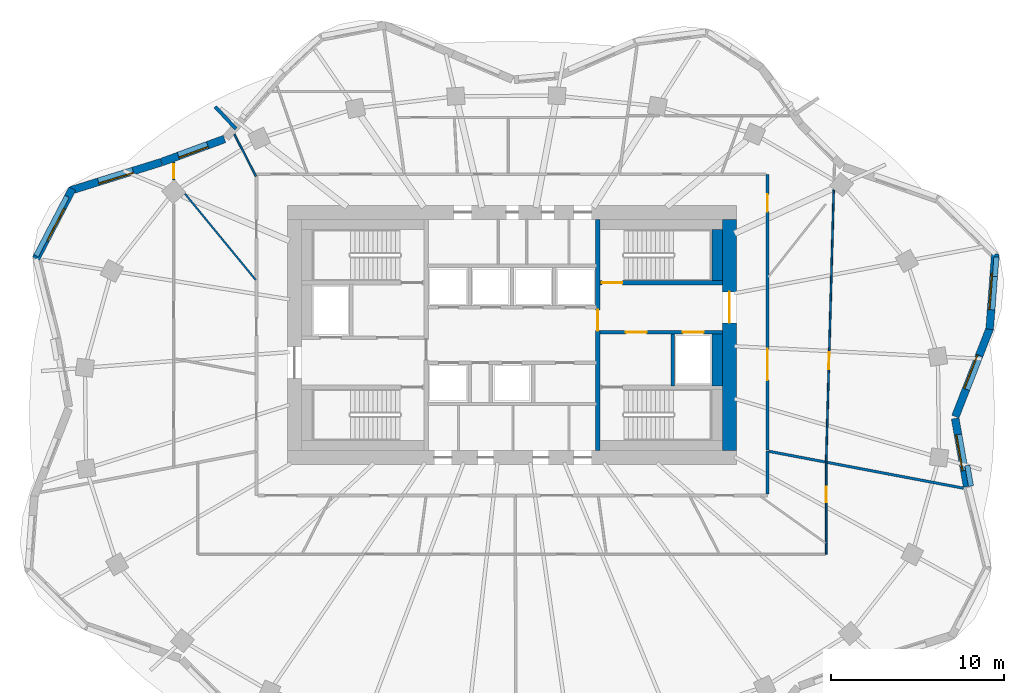
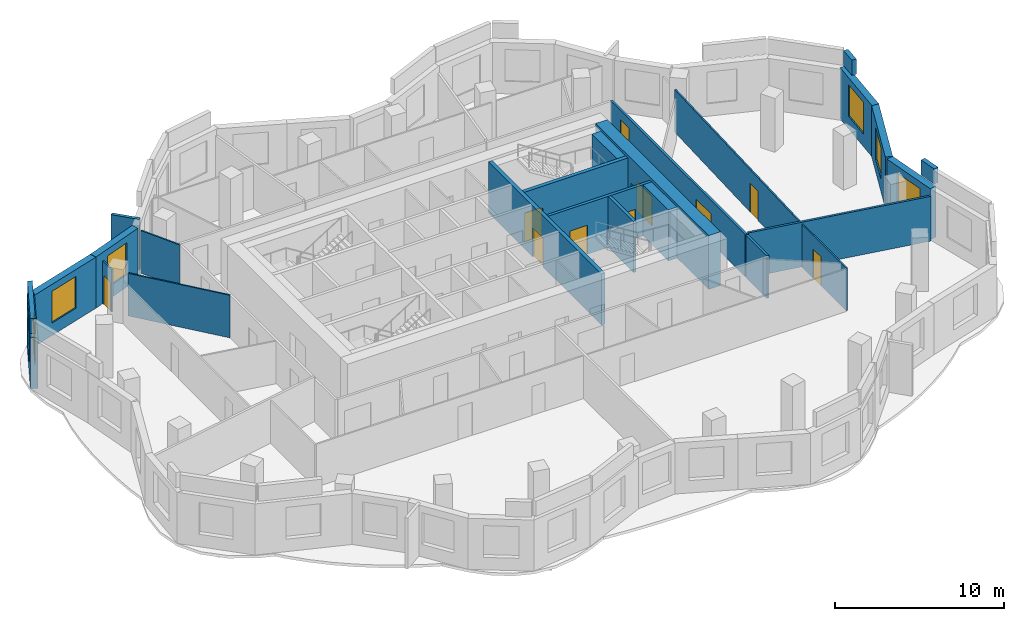
# One storey, part 6 of 9: 25 walls, 10 doors, 6 windows, 16 openings.
"""IFC4 building model written with IfcOpenShell, lengths in metres."""

from ifc_helpers import new_model, si_unit, direction, frame, frame_2d, origin, place, context, subcontext, project, spatial, rectangle, extrude, material, layer, layer_set, type_object, element, fill, save


model = new_model("IFC4")

# Units and contexts
model_context = context("Model", 3, precision=1e-05, world=origin(), true_north=direction((0.0, 1.0)))
body_context = subcontext(model_context, "Body", "Model", "MODEL_VIEW")
ifc_project = project(units=[si_unit("LENGTHUNIT", "METRE"), si_unit("AREAUNIT", "SQUARE_METRE"), si_unit("VOLUMEUNIT", "CUBIC_METRE"), si_unit("PLANEANGLEUNIT", "RADIAN"), si_unit("MASSUNIT", "GRAM", prefix="KILO")], contexts=[model_context])

# Site, building, storey
site_placement = place(None, origin())
site = spatial("IfcSite", under=ifc_project, at=site_placement, CompositionType="ELEMENT")
building_placement = place(site_placement, origin())
building = spatial("IfcBuilding", under=site, at=building_placement, Name="Rubra Terraces Tower", CompositionType="ELEMENT")
storey_placement = place(building_placement, frame((0.0, 0.0, 221.39990234375)))
storey = spatial("IfcBuildingStorey", under=building, at=storey_placement, Name="L54", CompositionType="ELEMENT", Elevation=221.39990234375)

# Wall, opening, window
ifc_material_1 = material(Name="Brick masonry red-brown", Category="masonry")
ifc_layer_1 = layer(ifc_material_1, 0.449951171875)
ifc_layer_set_1 = layer_set([ifc_layer_1], Name="Brick masonry red-brown")
wall_type_1 = type_object("IfcWallType", Name="Brick facade wall 450", PredefinedType="SOLIDWALL", material=ifc_layer_set_1)
wall_1_placement = place(storey_placement, frame((25.68701171875, -0.226318359375, 0.0), z_axis=(0.0, 0.0, 1.0), x_axis=(0.363500194409, 0.931594122279, 0.0)))
wall_1 = element("IfcWall", 1, at=wall_1_placement, inside=storey, type_object=wall_type_1, Name="Facade wall L54 bay 1", PredefinedType="SOLIDWALL", context=body_context, shape_type="SweptSolid", body=[
    extrude(rectangle(XDim=5.498779296875, YDim=0.449951171875, at=frame_2d((2.74951171875, 0.0))), origin(), (0.0, 0.0, 1.0), 3.7001953125),
])
opening_1_placement = place(wall_1_placement, frame((1.69921875, 0.0, 0.89990234375)))
opening_1 = element("IfcOpeningElement", 2, at=opening_1_placement, cuts=wall_1, Name="Opening W1B", PredefinedType="OPENING", context=body_context, shape_type="SweptSolid", body=[
    extrude(rectangle(XDim=2.10009765625, YDim=2.300048828125, at=frame_2d((1.050048828125, 1.14990234375))), frame((0.0, 0.23486328125, 0.0), z_axis=(0.0, -1.0, 0.0), x_axis=(1.0, 0.0, 0.0)), (0.0, 0.0, 1.0), 0.469970703125),
])
ifc_material_2 = material(Name="Clear glass in aluminium frame", Category="aluminium")
window_type_1 = type_object("IfcWindowType", Name="Fixed deep-set window tall storey 2100 x 2300", PartitioningType="SINGLE_PANEL", PredefinedType="WINDOW", material=ifc_material_2)
window_1_placement = place(opening_1_placement, origin())
window_1 = element("IfcWindow", 3, at=window_1_placement, inside=storey, type_object=window_type_1, Name="Window L54 bay 1", OverallHeight=2.300048828125, OverallWidth=2.10009765625, PartitioningType="SINGLE_PANEL", PredefinedType="WINDOW", context=body_context, shape_type="SweptSolid", body=[
    extrude(rectangle(XDim=2.10009765625, YDim=2.300048828125, at=frame_2d((1.050048828125, 1.14990234375))), frame((0.0, 0.135009765625, 0.0), z_axis=(0.0, -1.0, 0.0), x_axis=(1.0, 0.0, 0.0)), (0.0, 0.0, 1.0), 0.06005859375),
])
fill(opening_1, window_1)

wall_2_placement = place(storey_placement, frame((27.671142578125, 4.831298828125, 0.0), z_axis=(0.0, 0.0, 1.0), x_axis=(0.075658122047, 0.997133816781, 0.0)))
wall_2 = element("IfcWall", 4, at=wall_2_placement, inside=storey, type_object=wall_type_1, Name="Facade wall L54 bay 2", PredefinedType="SOLIDWALL", context=body_context, shape_type="SweptSolid", body=[
    extrude(rectangle(XDim=4.369140625, YDim=0.449951171875, at=frame_2d((2.1845703125, 0.0))), origin(), (0.0, 0.0, 1.0), 3.7001953125),
])
opening_2_placement = place(wall_2_placement, frame((1.134521484375, 0.0, 0.89990234375)))
opening_2 = element("IfcOpeningElement", 5, at=opening_2_placement, cuts=wall_2, Name="Opening W1B", PredefinedType="OPENING", context=body_context, shape_type="SweptSolid", body=[
    extrude(rectangle(XDim=2.10009765625, YDim=2.300048828125, at=frame_2d((1.050048828125, 1.14990234375))), frame((0.0, 0.23486328125, 0.0), z_axis=(0.0, -1.0, 0.0), x_axis=(1.0, 0.0, 0.0)), (0.0, 0.0, 1.0), 0.469970703125),
])
window_2_placement = place(opening_2_placement, origin())
window_2 = element("IfcWindow", 6, at=window_2_placement, inside=storey, type_object=window_type_1, Name="Window L54 bay 2", OverallHeight=2.300048828125, OverallWidth=2.10009765625, PartitioningType="SINGLE_PANEL", PredefinedType="WINDOW", context=body_context, shape_type="SweptSolid", body=[
    extrude(rectangle(XDim=2.10009765625, YDim=2.300048828125, at=frame_2d((1.050048828125, 1.14990234375))), frame((0.0, 0.135009765625, 0.0), z_axis=(0.0, -1.0, 0.0), x_axis=(1.0, 0.0, 0.0)), (0.0, 0.0, 1.0), 0.06005859375),
])
fill(opening_2, window_2)

wall_3_placement = place(storey_placement, frame((-16.654052734375, 15.85205078125, 0.0), z_axis=(0.0, 0.0, 1.0), x_axis=(-0.938636568132, -0.344907803572, 0.0)))
wall_3 = element("IfcWall", 7, at=wall_3_placement, inside=storey, type_object=wall_type_1, Name="Facade wall L54 bay 16", PredefinedType="SOLIDWALL", context=body_context, shape_type="SweptSolid", body=[
    extrude(rectangle(XDim=3.887451171875, YDim=0.449951171875, at=frame_2d((1.94384765625, 0.0))), origin(), (0.0, 0.0, 1.0), 3.7001953125),
])
opening_3_placement = place(wall_3_placement, frame((1.043701171875, 0.0, 0.89990234375)))
opening_3 = element("IfcOpeningElement", 8, at=opening_3_placement, cuts=wall_3, Name="Opening W6B", PredefinedType="OPENING", context=body_context, shape_type="SweptSolid", body=[
    extrude(rectangle(XDim=1.800048828125, YDim=2.300048828125, at=frame_2d((0.89990234375, 1.14990234375))), frame((0.0, 0.23486328125, 0.0), z_axis=(0.0, -1.0, 0.0), x_axis=(1.0, 0.0, 0.0)), (0.0, 0.0, 1.0), 0.469970703125),
])
window_type_2 = type_object("IfcWindowType", Name="Fixed deep-set window at wind fin tall storey 1800 x 2300", PartitioningType="SINGLE_PANEL", PredefinedType="WINDOW", material=ifc_material_2)
window_3_placement = place(opening_3_placement, origin())
window_3 = element("IfcWindow", 9, at=window_3_placement, inside=storey, type_object=window_type_2, Name="Window L54 bay 16", OverallHeight=2.300048828125, OverallWidth=1.800048828125, PartitioningType="SINGLE_PANEL", PredefinedType="WINDOW", context=body_context, shape_type="SweptSolid", body=[
    extrude(rectangle(XDim=1.800048828125, YDim=2.300048828125, at=frame_2d((0.89990234375, 1.14990234375))), frame((0.0, 0.135009765625, 0.0), z_axis=(0.0, -1.0, 0.0), x_axis=(1.0, 0.0, 0.0)), (0.0, 0.0, 1.0), 0.06005859375),
])
fill(opening_3, window_3)

wall_4_placement = place(storey_placement, frame((-20.31591796875, 14.506591796875, 0.0), z_axis=(0.0, 0.0, 1.0), x_axis=(-0.954807195185, -0.297225873743, 0.0)))
wall_4 = element("IfcWall", 10, at=wall_4_placement, inside=storey, type_object=wall_type_1, Name="Facade wall L54 bay 17", PredefinedType="SOLIDWALL", context=body_context, shape_type="SweptSolid", body=[
    extrude(rectangle(XDim=5.5263671875, YDim=0.449951171875, at=frame_2d((2.76318359375, 0.0))), origin(), (0.0, 0.0, 1.0), 3.7001953125),
])
opening_4_placement = place(wall_4_placement, frame((1.713134765625, 0.0, 0.89990234375)))
opening_4 = element("IfcOpeningElement", 11, at=opening_4_placement, cuts=wall_4, Name="Opening W1B", PredefinedType="OPENING", context=body_context, shape_type="SweptSolid", body=[
    extrude(rectangle(XDim=2.10009765625, YDim=2.300048828125, at=frame_2d((1.050048828125, 1.14990234375))), frame((0.0, 0.23486328125, 0.0), z_axis=(0.0, -1.0, 0.0), x_axis=(1.0, 0.0, 0.0)), (0.0, 0.0, 1.0), 0.469970703125),
])
window_4_placement = place(opening_4_placement, origin())
window_4 = element("IfcWindow", 12, at=window_4_placement, inside=storey, type_object=window_type_1, Name="Window L54 bay 17", OverallHeight=2.300048828125, OverallWidth=2.10009765625, PartitioningType="SINGLE_PANEL", PredefinedType="WINDOW", context=body_context, shape_type="SweptSolid", body=[
    extrude(rectangle(XDim=2.10009765625, YDim=2.300048828125, at=frame_2d((1.050048828125, 1.14990234375))), frame((0.0, 0.135009765625, 0.0), z_axis=(0.0, -1.0, 0.0), x_axis=(1.0, 0.0, 0.0)), (0.0, 0.0, 1.0), 0.06005859375),
])
fill(opening_4, window_4)

wall_5_placement = place(storey_placement, frame((-25.46533203125, 12.97314453125, 0.0), z_axis=(0.0, 0.0, 1.0), x_axis=(-0.461288789222, -0.887250050965, 0.0)))
wall_5 = element("IfcWall", 13, at=wall_5_placement, inside=storey, type_object=wall_type_1, Name="Facade wall L54 bay 18", PredefinedType="SOLIDWALL", context=body_context, shape_type="SweptSolid", body=[
    extrude(rectangle(XDim=4.568115234375, YDim=0.449951171875, at=frame_2d((2.2841796875, 0.0))), origin(), (0.0, 0.0, 1.0), 3.7001953125),
])
opening_5_placement = place(wall_5_placement, frame((1.23388671875, 0.0, 0.89990234375)))
opening_5 = element("IfcOpeningElement", 14, at=opening_5_placement, cuts=wall_5, Name="Opening W1B", PredefinedType="OPENING", context=body_context, shape_type="SweptSolid", body=[
    extrude(rectangle(XDim=2.10009765625, YDim=2.300048828125, at=frame_2d((1.050048828125, 1.14990234375))), frame((0.0, 0.23486328125, 0.0), z_axis=(0.0, -1.0, 0.0), x_axis=(1.0, 0.0, 0.0)), (0.0, 0.0, 1.0), 0.469970703125),
])
window_5_placement = place(opening_5_placement, origin())
window_5 = element("IfcWindow", 15, at=window_5_placement, inside=storey, type_object=window_type_1, Name="Window L54 bay 18", OverallHeight=2.300048828125, OverallWidth=2.10009765625, PartitioningType="SINGLE_PANEL", PredefinedType="WINDOW", context=body_context, shape_type="SweptSolid", body=[
    extrude(rectangle(XDim=2.10009765625, YDim=2.300048828125, at=frame_2d((1.050048828125, 1.14990234375))), frame((0.0, 0.135009765625, 0.0), z_axis=(0.0, -1.0, 0.0), x_axis=(1.0, 0.0, 0.0)), (0.0, 0.0, 1.0), 0.06005859375),
])
fill(opening_5, window_5)

wall_6_placement = place(storey_placement, frame((26.3662109375, -4.28466796875, 0.0), z_axis=(0.0, 0.0, 1.0), x_axis=(-0.172902168926, 0.984939003178, 0.0)))
wall_6 = element("IfcWall", 16, at=wall_6_placement, inside=storey, type_object=wall_type_1, Name="Facade wall L54 bay 40", PredefinedType="SOLIDWALL", context=body_context, shape_type="SweptSolid", body=[
    extrude(rectangle(XDim=4.005859375, YDim=0.449951171875, at=frame_2d((2.0029296875, 0.0))), origin(), (0.0, 0.0, 1.0), 3.7001953125),
])
opening_6_placement = place(wall_6_placement, frame((0.952880859375, 0.0, 0.89990234375)))
opening_6 = element("IfcOpeningElement", 17, at=opening_6_placement, cuts=wall_6, Name="Opening W1B", PredefinedType="OPENING", context=body_context, shape_type="SweptSolid", body=[
    extrude(rectangle(XDim=2.10009765625, YDim=2.300048828125, at=frame_2d((1.050048828125, 1.14990234375))), frame((0.0, 0.23486328125, 0.0), z_axis=(0.0, -1.0, 0.0), x_axis=(1.0, 0.0, 0.0)), (0.0, 0.0, 1.0), 0.469970703125),
])
window_6_placement = place(opening_6_placement, origin())
window_6 = element("IfcWindow", 18, at=window_6_placement, inside=storey, type_object=window_type_1, Name="Window L54 bay 40", OverallHeight=2.300048828125, OverallWidth=2.10009765625, PartitioningType="SINGLE_PANEL", PredefinedType="WINDOW", context=body_context, shape_type="SweptSolid", body=[
    extrude(rectangle(XDim=2.10009765625, YDim=2.300048828125, at=frame_2d((1.050048828125, 1.14990234375))), frame((0.0, 0.135009765625, 0.0), z_axis=(0.0, -1.0, 0.0), x_axis=(1.0, 0.0, 0.0)), (0.0, 0.0, 1.0), 0.06005859375),
])
fill(opening_6, window_6)

# Walls
ifc_layer_2 = layer(ifc_material_1, 0.300048828125)
ifc_layer_set_2 = layer_set([ifc_layer_2], Name="Brick masonry red-brown")
wall_type_2 = type_object("IfcWallType", Name="Brick parapet 300", PredefinedType="PARAPET", material=ifc_layer_set_2)
wall_7_placement = place(storey_placement, frame((27.978515625, 7.892333984375, 3.900146484375), z_axis=(0.0, 0.0, 1.0), x_axis=(0.075750382553, 0.997126812167, 0.0)))
element("IfcWall", 19, at=wall_7_placement, inside=storey, type_object=wall_type_2, Name="Parapet L54 bay 2", PredefinedType="PARAPET", context=body_context, shape_type="SweptSolid", body=[
    extrude(rectangle(XDim=1.124755859375, YDim=0.300048828125, at=frame_2d((0.5625, 0.0))), origin(), (0.0, 0.0, 1.0), 1.099853515625),
])
wall_8_placement = place(storey_placement, frame((-25.781982421875, 12.52685546875, 3.900146484375), z_axis=(0.0, 0.0, 1.0), x_axis=(-0.461218103562, -0.88728679746, 0.0)))
element("IfcWall", 20, at=wall_8_placement, inside=storey, type_object=wall_type_2, Name="Parapet L54 bay 18", PredefinedType="PARAPET", context=body_context, shape_type="SweptSolid", body=[
    extrude(rectangle(XDim=3.8828125, YDim=0.300048828125, at=frame_2d((1.94140625, 0.0))), origin(), (0.0, 0.0, 1.0), 1.099853515625),
])
wall_9_placement = place(storey_placement, frame((26.589111328125, -4.253662109375, 3.900146484375), z_axis=(0.0, 0.0, 1.0), x_axis=(-0.172857566704, 0.984946831881, 0.0)))
element("IfcWall", 21, at=wall_9_placement, inside=storey, type_object=wall_type_2, Name="Parapet L54 bay 40", PredefinedType="PARAPET", context=body_context, shape_type="SweptSolid", body=[
    extrude(rectangle(XDim=1.216064453125, YDim=0.300048828125, at=frame_2d((0.60791015625, 0.0))), origin(), (0.0, 0.0, 1.0), 1.099853515625),
])
ifc_layer_3 = layer(ifc_material_1, 0.199951171875)
ifc_layer_set_3 = layer_set([ifc_layer_3], Name="Brick masonry red-brown")
wall_type_3 = type_object("IfcWallType", Name="Brick wind fin 200", PredefinedType="SOLIDWALL", material=ifc_layer_set_3)
wall_10_placement = place(storey_placement, frame((-15.9951171875, 16.444091796875, 0.0), z_axis=(0.0, 0.0, 1.0), x_axis=(-0.683852936488, 0.729619874494, 0.0)))
element("IfcWall", 22, at=wall_10_placement, inside=storey, type_object=wall_type_3, Name="Wind fin L54 9", PredefinedType="SOLIDWALL", context=body_context, shape_type="SweptSolid", body=[
    extrude(rectangle(XDim=1.749755859375, YDim=0.199951171875, at=frame_2d((0.875, 0.0))), origin(), (0.0, 0.0, 1.0), 3.7001953125),
])

# Wall, opening, door
ifc_material_3 = material(Name="Concrete C50", Category="concrete")
ifc_layer_4 = layer(ifc_material_3, 0.800048828125)
ifc_layer_set_4 = layer_set([ifc_layer_4], Name="Concrete C50")
wall_type_4 = type_object("IfcWallType", Name="CORE WALL 800 C50", PredefinedType="SHEAR", material=ifc_layer_set_4)
wall_11_placement = place(storey_placement, frame((12.60009765625, -2.199951171875, 0.0), z_axis=(0.0, 0.0, 1.0), x_axis=(0.0, 1.0, 0.0)))
wall_11 = element("IfcWall", 23, at=wall_11_placement, inside=storey, type_object=wall_type_4, Name="CORE WALL E L54", PredefinedType="SHEAR", context=body_context, shape_type="SweptSolid", body=[
    extrude(rectangle(XDim=13.39990234375, YDim=0.800048828125, at=frame_2d((6.699951171875, 0.0))), origin(), (0.0, 0.0, 1.0), 3.900146484375),
])
opening_7_placement = place(wall_11_placement, frame((7.39990234375, 0.0, 0.0)))
opening_7 = element("IfcOpeningElement", 24, at=opening_7_placement, cuts=wall_11, Name="Opening L54.C02", PredefinedType="OPENING", context=body_context, shape_type="SweptSolid", body=[
    extrude(rectangle(XDim=1.800048828125, YDim=2.10009765625, at=frame_2d((0.89990234375, 1.050048828125))), frame((0.0, 0.409912109375, 0.0), z_axis=(0.0, -1.0, 0.0), x_axis=(1.0, 0.0, 0.0)), (0.0, 0.0, 1.0), 0.820068359375),
])
ifc_material_4 = material(Name="Painted steel", Category="steel")
door_type_1 = type_object("IfcDoorType", Name="Fire door 1800x2100 double", OperationType="NOTDEFINED", PredefinedType="DOOR", material=ifc_material_4)
door_1_placement = place(opening_7_placement, origin())
door_1 = element("IfcDoor", 25, at=door_1_placement, inside=storey, type_object=door_type_1, Name="Core entrance door FF2", OperationType="DOUBLE_DOOR_SINGLE_SWING", OverallHeight=2.10009765625, OverallWidth=1.800048828125, PredefinedType="DOOR", context=body_context, shape_type="SweptSolid", body=[
    extrude(rectangle(XDim=1.800048828125, YDim=2.10009765625, at=frame_2d((0.89990234375, 1.050048828125))), frame((0.0, 0.02490234375, 0.0), z_axis=(0.0, -1.0, 0.0), x_axis=(1.0, 0.0, 0.0)), (0.0, 0.0, 1.0), 0.050048828125),
])
fill(opening_7, door_1)

# Wall
ifc_material_5 = material(Name="Plasterboard on steel stud, mineral wool infill", Category="steel")
ifc_layer_5 = layer(ifc_material_5, 0.14990234375)
ifc_layer_set_5 = layer_set([ifc_layer_5], Name="Plasterboard on steel stud, mineral wool infill")
wall_type_5 = type_object("IfcWallType", Name="CORRIDOR PARTITION 150", PredefinedType="PARTITIONING", material=ifc_layer_set_5)
wall_12_placement = place(storey_placement, frame((14.800048828125, -4.72509765625, 0.0), z_axis=(0.0, 0.0, 1.0), x_axis=(0.0, 1.0, 0.0)))
element("IfcWall", 26, at=wall_12_placement, inside=storey, type_object=wall_type_5, Name="PARTITION", PredefinedType="PARTITIONING", context=body_context, shape_type="SweptSolid", body=[
    extrude(rectangle(XDim=2.499755859375, YDim=0.14990234375, at=frame_2d((1.25, 0.0))), origin(), (0.0, 0.0, 1.0), 3.083984375),
])

# Wall, openings, doors
wall_13_placement = place(storey_placement, frame((14.800048828125, -2.150390625, 0.0), z_axis=(0.0, 0.0, 1.0), x_axis=(0.0, 1.0, 0.0)))
wall_13 = element("IfcWall", 27, at=wall_13_placement, inside=storey, type_object=wall_type_5, Name="PARTITION", PredefinedType="PARTITIONING", context=body_context, shape_type="SweptSolid", body=[
    extrude(rectangle(XDim=15.950439453125, YDim=0.14990234375, at=frame_2d((7.97509765625, 0.0))), origin(), (0.0, 0.0, 1.0), 3.083984375),
])
opening_8_placement = place(wall_13_placement, frame((4.0400390625, 0.0, 0.0)))
opening_8 = element("IfcOpeningElement", 28, at=opening_8_placement, cuts=wall_13, Name="Opening 54-114", PredefinedType="OPENING", context=body_context, shape_type="SweptSolid", body=[
    extrude(rectangle(XDim=1.800048828125, YDim=2.10009765625, at=frame_2d((0.89990234375, 1.050048828125))), frame((0.0, 0.0849609375, 0.0), z_axis=(0.0, -1.0, 0.0), x_axis=(1.0, 0.0, 0.0)), (0.0, 0.0, 1.0), 0.169921875),
])
opening_9_placement = place(wall_13_placement, frame((13.79296875, 0.0, 0.0)))
opening_9 = element("IfcOpeningElement", 29, at=opening_9_placement, cuts=wall_13, Name="Opening 54-116", PredefinedType="OPENING", context=body_context, shape_type="SweptSolid", body=[
    extrude(rectangle(XDim=1.0, YDim=2.39990234375, at=frame_2d((0.5, 1.199951171875))), frame((0.0, 0.0849609375, 0.0), z_axis=(0.0, -1.0, 0.0), x_axis=(1.0, 0.0, 0.0)), (0.0, 0.0, 1.0), 0.169921875),
])
ifc_material_6 = material(Name="Glazed aluminium meeting door leaf", Category="aluminium")
door_type_2 = type_object("IfcDoorType", Name="MEETING ROOM GLAZED DOOR 1000 X 2400", OperationType="SINGLE_SWING_LEFT", PredefinedType="DOOR", material=ifc_material_6)
door_2_placement = place(opening_9_placement, origin())
door_2 = element("IfcDoor", 30, at=door_2_placement, inside=storey, type_object=door_type_2, Name="DOOR 54-116", OperationType="SINGLE_SWING_RIGHT", OverallHeight=2.39990234375, OverallWidth=1.0, PredefinedType="DOOR", context=body_context, shape_type="SweptSolid", body=[
    extrude(rectangle(XDim=1.0, YDim=2.39990234375, at=frame_2d((0.5, 1.199951171875))), frame((0.0, 0.02490234375, 0.0), z_axis=(0.0, -1.0, 0.0), x_axis=(1.0, 0.0, 0.0)), (0.0, 0.0, 1.0), 0.050048828125),
])
fill(opening_9, door_2)
ifc_material_7 = material(Name="Painted timber door leaf, double", Category="wood")
door_type_3 = type_object("IfcDoorType", Name="ROOM DOUBLE DOOR 1800 X 2100", OperationType="DOUBLE_DOOR_SINGLE_SWING", PredefinedType="DOOR", material=ifc_material_7)
door_3_placement = place(opening_8_placement, origin())
door_3 = element("IfcDoor", 31, at=door_3_placement, inside=storey, type_object=door_type_3, Name="DOOR 54-114", OperationType="DOUBLE_DOOR_SINGLE_SWING", OverallHeight=2.10009765625, OverallWidth=1.800048828125, PredefinedType="DOOR", context=body_context, shape_type="SweptSolid", body=[
    extrude(rectangle(XDim=1.800048828125, YDim=2.10009765625, at=frame_2d((0.89990234375, 1.050048828125))), frame((0.0, 0.02490234375, 0.0), z_axis=(0.0, -1.0, 0.0), x_axis=(1.0, 0.0, 0.0)), (0.0, 0.0, 1.0), 0.050048828125),
])
fill(opening_8, door_3)

# Walls
ifc_material_8 = material(Name="Concrete C40", Category="concrete")
ifc_layer_6 = layer(ifc_material_8, 0.60009765625)
ifc_layer_set_6 = layer_set([ifc_layer_6], Name="Concrete C40")
wall_type_6 = type_object("IfcWallType", Name="Core lining wall 600 concrete", PredefinedType="SOLIDWALL", material=ifc_layer_set_6)
wall_14_placement = place(storey_placement, frame((11.89990234375, 10.60009765625, 0.0), z_axis=(0.0, 0.0, 1.0), x_axis=(0.0, -1.0, 0.0)))
element("IfcWall", 32, at=wall_14_placement, inside=storey, type_object=wall_type_6, Name="CORE LINING WALL L54", PredefinedType="SOLIDWALL", context=body_context, shape_type="SweptSolid", body=[
    extrude(rectangle(XDim=2.9501953125, YDim=0.60009765625, at=frame_2d((1.47509765625, 0.0))), origin(), (0.0, 0.0, 1.0), 3.7001953125),
])
wall_15_placement = place(storey_placement, frame((11.89990234375, 4.550048828125, 0.0), z_axis=(0.0, 0.0, 1.0), x_axis=(0.0, -1.0, 0.0)))
element("IfcWall", 33, at=wall_15_placement, inside=storey, type_object=wall_type_6, Name="CORE LINING WALL L54", PredefinedType="SOLIDWALL", context=body_context, shape_type="SweptSolid", body=[
    extrude(rectangle(XDim=3.0, YDim=0.60009765625, at=frame_2d((1.5, 0.0))), origin(), (0.0, 0.0, 1.0), 3.7001953125),
])

# Wall, openings, doors
ifc_material_9 = material(Name="Concrete C30", Category="concrete")
ifc_layer_7 = layer(ifc_material_9, 0.199951171875)
ifc_layer_set_7 = layer_set([ifc_layer_7], Name="Concrete C30")
wall_type_7 = type_object("IfcWallType", Name="Core wall 200 concrete", PredefinedType="SOLIDWALL", material=ifc_layer_set_7)
wall_16_placement = place(storey_placement, frame((12.199951171875, 4.64990234375, 0.0), z_axis=(0.0, 0.0, 1.0), x_axis=(-1.0, 0.0, 0.0)))
wall_16 = element("IfcWall", 34, at=wall_16_placement, inside=storey, type_object=wall_type_7, Name="STAIR WALL L54", PredefinedType="SOLIDWALL", context=body_context, shape_type="SweptSolid", body=[
    extrude(rectangle(XDim=7.099853515625, YDim=0.199951171875, at=frame_2d((3.5498046875, 0.0))), origin(), (0.0, 0.0, 1.0), 3.7001953125),
])
opening_10_placement = place(wall_16_placement, frame((4.39990234375, 0.0, 0.0)))
opening_10 = element("IfcOpeningElement", 35, at=opening_10_placement, cuts=wall_16, Name="Opening L54.C06", PredefinedType="OPENING", context=body_context, shape_type="SweptSolid", body=[
    extrude(rectangle(XDim=1.199951171875, YDim=2.10009765625, at=frame_2d((0.60009765625, 1.050048828125))), frame((0.0, 0.10986328125, 0.0), z_axis=(0.0, -1.0, 0.0), x_axis=(1.0, 0.0, 0.0)), (0.0, 0.0, 1.0), 0.219970703125),
])
opening_11_placement = place(wall_16_placement, frame((1.10009765625, 0.0, 0.0)))
opening_11 = element("IfcOpeningElement", 36, at=opening_11_placement, cuts=wall_16, Name="Opening L54.C12", PredefinedType="OPENING", context=body_context, shape_type="SweptSolid", body=[
    extrude(rectangle(XDim=1.199951171875, YDim=2.10009765625, at=frame_2d((0.60009765625, 1.050048828125))), frame((0.0, 0.10986328125, 0.0), z_axis=(0.0, -1.0, 0.0), x_axis=(1.0, 0.0, 0.0)), (0.0, 0.0, 1.0), 0.219970703125),
])
door_type_4 = type_object("IfcDoorType", Name="Fire door 1200x2100 single", OperationType="NOTDEFINED", PredefinedType="DOOR", material=ifc_material_4)
door_4_placement = place(opening_10_placement, origin())
door_4 = element("IfcDoor", 37, at=door_4_placement, inside=storey, type_object=door_type_4, Name="Stair vestibule door S4", OperationType="SINGLE_SWING_RIGHT", OverallHeight=2.10009765625, OverallWidth=1.199951171875, PredefinedType="DOOR", context=body_context, shape_type="SweptSolid", body=[
    extrude(rectangle(XDim=1.199951171875, YDim=2.10009765625, at=frame_2d((0.60009765625, 1.050048828125))), frame((0.0, 0.02490234375, 0.0), z_axis=(0.0, -1.0, 0.0), x_axis=(1.0, 0.0, 0.0)), (0.0, 0.0, 1.0), 0.050048828125),
])
fill(opening_10, door_4)
ifc_material_10 = material(Name="Stainless steel", Category="steel")
door_type_5 = type_object("IfcDoorType", Name="Lift landing door 1200x2100", OperationType="NOTDEFINED", PredefinedType="DOOR", material=ifc_material_10)
door_5_placement = place(opening_11_placement, origin())
door_5 = element("IfcDoor", 38, at=door_5_placement, inside=storey, type_object=door_type_5, Name="Landing door FF2", OperationType="SLIDING_TO_RIGHT", OverallHeight=2.10009765625, OverallWidth=1.199951171875, PredefinedType="DOOR", context=body_context, shape_type="SweptSolid", body=[
    extrude(rectangle(XDim=1.199951171875, YDim=2.10009765625, at=frame_2d((0.60009765625, 1.050048828125))), frame((0.0, 0.02490234375, 0.0), z_axis=(0.0, -1.0, 0.0), x_axis=(1.0, 0.0, 0.0)), (0.0, 0.0, 1.0), 0.050048828125),
])
fill(opening_11, door_5)

# Wall
wall_17_placement = place(storey_placement, frame((9.300048828125, 4.550048828125, 0.0), z_axis=(0.0, 0.0, 1.0), x_axis=(0.0, -1.0, 0.0)))
element("IfcWall", 39, at=wall_17_placement, inside=storey, type_object=wall_type_7, Name="STAIR WALL L54", PredefinedType="SOLIDWALL", context=body_context, shape_type="SweptSolid", body=[
    extrude(rectangle(XDim=3.0, YDim=0.199951171875, at=frame_2d((1.5, 0.0))), origin(), (0.0, 0.0, 1.0), 3.7001953125),
])

# Wall, opening, door
ifc_material_11 = material(Name="Plasterboard on steel stud", Category="steel")
ifc_layer_8 = layer(ifc_material_11, 0.10009765625)
ifc_layer_set_8 = layer_set([ifc_layer_8], Name="Plasterboard on steel stud")
wall_type_8 = type_object("IfcWallType", Name="ROOM PARTITION 100", PredefinedType="PARTITIONING", material=ifc_layer_set_8)
wall_18_placement = place(storey_placement, frame((-19.60009765625, 13.482666015625, 0.0), z_axis=(0.0, 0.0, 1.0), x_axis=(0.0, 1.0, 0.0)))
wall_18 = element("IfcWall", 40, at=wall_18_placement, inside=storey, type_object=wall_type_8, Name="PARTITION", PredefinedType="PARTITIONING", context=body_context, shape_type="SweptSolid", body=[
    extrude(rectangle(XDim=1.026123046875, YDim=0.10009765625, at=frame_2d((0.51318359375, 0.0))), origin(), (0.0, 0.0, 1.0), 3.083984375),
])
opening_12_placement = place(wall_18_placement, frame((0.10009765625, 0.0, 0.0)))
opening_12 = element("IfcOpeningElement", 41, at=opening_12_placement, cuts=wall_18, Name="Opening 54-121", PredefinedType="OPENING", context=body_context, shape_type="SweptSolid", body=[
    extrude(rectangle(XDim=0.800048828125, YDim=2.10009765625, at=frame_2d((0.39990234375, 1.050048828125))), frame((0.0, 0.06005859375, 0.0), z_axis=(0.0, -1.0, 0.0), x_axis=(1.0, 0.0, 0.0)), (0.0, 0.0, 1.0), 0.1201171875),
])
ifc_material_12 = material(Name="Painted timber door leaf", Category="wood")
door_type_6 = type_object("IfcDoorType", Name="BATHROOM DOOR 800 X 2100", OperationType="SINGLE_SWING_LEFT", PredefinedType="DOOR", material=ifc_material_12)
door_6_placement = place(opening_12_placement, origin())
door_6 = element("IfcDoor", 42, at=door_6_placement, inside=storey, type_object=door_type_6, Name="DOOR 54-121", OperationType="SINGLE_SWING_LEFT", OverallHeight=2.10009765625, OverallWidth=0.800048828125, PredefinedType="DOOR", context=body_context, shape_type="SweptSolid", body=[
    extrude(rectangle(XDim=0.800048828125, YDim=2.10009765625, at=frame_2d((0.39990234375, 1.050048828125))), frame((0.0, 0.02490234375, 0.0), z_axis=(0.0, -1.0, 0.0), x_axis=(1.0, 0.0, 0.0)), (0.0, 0.0, 1.0), 0.050048828125),
])
fill(opening_12, door_6)

# Walls
wall_19_placement = place(storey_placement, frame((-14.834228515625, 13.693115234375, 0.0), z_axis=(0.0, 0.0, 1.0), x_axis=(-0.455511992018, 0.89022964741, 0.0)))
element("IfcWall", 43, at=wall_19_placement, inside=storey, type_object=wall_type_8, Name="PARTITION", PredefinedType="PARTITIONING", context=body_context, shape_type="SweptSolid", body=[
    extrude(rectangle(XDim=2.735595703125, YDim=0.10009765625, at=frame_2d((1.36767578125, 0.0))), origin(), (0.0, 0.0, 1.0), 3.083984375),
])
wall_20_placement = place(storey_placement, frame((-14.84765625, 7.688720703125, 0.0), z_axis=(0.0, 0.0, 1.0), x_axis=(-0.63471602348, 0.772745475262, 0.0)))
element("IfcWall", 44, at=wall_20_placement, inside=storey, type_object=wall_type_8, Name="PARTITION", PredefinedType="PARTITIONING", context=body_context, shape_type="SweptSolid", body=[
    extrude(rectangle(XDim=6.452392578125, YDim=0.10009765625, at=frame_2d((3.22607421875, 0.0))), origin(), (0.0, 0.0, 1.0), 3.083984375),
])

# Wall, opening, door
wall_21_placement = place(storey_placement, frame((18.199951171875, -2.8896484375, 0.0), z_axis=(0.0, 0.0, 1.0), x_axis=(0.0, -1.0, 0.0)))
wall_21 = element("IfcWall", 45, at=wall_21_placement, inside=storey, type_object=wall_type_8, Name="PARTITION", PredefinedType="PARTITIONING", context=body_context, shape_type="SweptSolid", body=[
    extrude(rectangle(XDim=5.310302734375, YDim=0.10009765625, at=frame_2d((2.6552734375, 0.0))), origin(), (0.0, 0.0, 1.0), 3.083984375),
])
opening_13_placement = place(wall_21_placement, frame((1.39404296875, 0.0, 0.0)))
opening_13 = element("IfcOpeningElement", 46, at=opening_13_placement, cuts=wall_21, Name="Opening 54-113", PredefinedType="OPENING", context=body_context, shape_type="SweptSolid", body=[
    extrude(rectangle(XDim=0.89990234375, YDim=2.10009765625, at=frame_2d((0.449951171875, 1.050048828125))), frame((0.0, 0.06005859375, 0.0), z_axis=(0.0, -1.0, 0.0), x_axis=(1.0, 0.0, 0.0)), (0.0, 0.0, 1.0), 0.1201171875),
])
door_type_7 = type_object("IfcDoorType", Name="ROOM DOOR 900 X 2100", OperationType="SINGLE_SWING_LEFT", PredefinedType="DOOR", material=ifc_material_12)
door_7_placement = place(opening_13_placement, origin())
door_7 = element("IfcDoor", 47, at=door_7_placement, inside=storey, type_object=door_type_7, Name="DOOR 54-113", OperationType="SINGLE_SWING_RIGHT", OverallHeight=2.10009765625, OverallWidth=0.89990234375, PredefinedType="DOOR", context=body_context, shape_type="SweptSolid", body=[
    extrude(rectangle(XDim=0.89990234375, YDim=2.10009765625, at=frame_2d((0.449951171875, 1.050048828125))), frame((0.0, 0.02490234375, 0.0), z_axis=(0.0, -1.0, 0.0), x_axis=(1.0, 0.0, 0.0)), (0.0, 0.0, 1.0), 0.050048828125),
])
fill(opening_13, door_7)

wall_22_placement = place(storey_placement, frame((18.638916015625, 12.909423828125, 0.0), z_axis=(0.0, 0.0, 1.0), x_axis=(-0.027844870204, -0.999612256429, 0.0)))
wall_22 = element("IfcWall", 48, at=wall_22_placement, inside=storey, type_object=wall_type_8, Name="PARTITION", PredefinedType="PARTITIONING", context=body_context, shape_type="SweptSolid", body=[
    extrude(rectangle(XDim=15.7646484375, YDim=0.10009765625, at=frame_2d((7.88232421875, 0.0))), origin(), (0.0, 0.0, 1.0), 3.083984375),
])
opening_14_placement = place(wall_22_placement, frame((9.403076171875, 0.0, 0.0)))
opening_14 = element("IfcOpeningElement", 49, at=opening_14_placement, cuts=wall_22, Name="Opening 54-115", PredefinedType="OPENING", context=body_context, shape_type="SweptSolid", body=[
    extrude(rectangle(XDim=1.0, YDim=2.10009765625, at=frame_2d((0.5, 1.050048828125))), frame((0.0, 0.06005859375, 0.0), z_axis=(0.0, -1.0, 0.0), x_axis=(1.0, 0.0, 0.0)), (0.0, 0.0, 1.0), 0.1201171875),
])
door_type_8 = type_object("IfcDoorType", Name="ROOM DOOR 1000 X 2100", OperationType="SINGLE_SWING_LEFT", PredefinedType="DOOR", material=ifc_material_12)
door_8_placement = place(opening_14_placement, origin())
door_8 = element("IfcDoor", 50, at=door_8_placement, inside=storey, type_object=door_type_8, Name="DOOR 54-115", OperationType="SINGLE_SWING_LEFT", OverallHeight=2.10009765625, OverallWidth=1.0, PredefinedType="DOOR", context=body_context, shape_type="SweptSolid", body=[
    extrude(rectangle(XDim=1.0, YDim=2.10009765625, at=frame_2d((0.5, 1.050048828125))), frame((0.0, 0.02490234375, 0.0), z_axis=(0.0, -1.0, 0.0), x_axis=(1.0, 0.0, 0.0)), (0.0, 0.0, 1.0), 0.050048828125),
])
fill(opening_14, door_8)

# Wall
ifc_layer_9 = layer(ifc_material_11, 0.14990234375)
ifc_layer_set_9 = layer_set([ifc_layer_9], Name="Plasterboard on steel stud")
wall_type_9 = type_object("IfcWallType", Name="ROOM PARTITION 150", PredefinedType="PARTITIONING", material=ifc_layer_set_9)
wall_23_placement = place(storey_placement, frame((26.151611328125, -4.375732421875, 0.0), z_axis=(0.0, 0.0, 1.0), x_axis=(-0.982525172823, 0.186129752508, 0.0)))
element("IfcWall", 51, at=wall_23_placement, inside=storey, type_object=wall_type_9, Name="PARTITION", PredefinedType="PARTITIONING", context=body_context, shape_type="SweptSolid", body=[
    extrude(rectangle(XDim=11.478515625, YDim=0.14990234375, at=frame_2d((5.7392578125, 0.0))), origin(), (0.0, 0.0, 1.0), 3.234130859375),
])

# Wall, opening, door
ifc_layer_10 = layer(ifc_material_8, 0.25)
ifc_layer_set_10 = layer_set([ifc_layer_10], Name="Concrete C40")
wall_type_10 = type_object("IfcWallType", Name="Stair enclosure wall 250 concrete", PredefinedType="SOLIDWALL", material=ifc_layer_set_10)
wall_24_placement = place(storey_placement, frame((12.199951171875, 7.52490234375, 0.0), z_axis=(0.0, 0.0, 1.0), x_axis=(-1.0, 0.0, 0.0)))
wall_24 = element("IfcWall", 52, at=wall_24_placement, inside=storey, type_object=wall_type_10, Name="STAIR WALL L54", PredefinedType="SOLIDWALL", context=body_context, shape_type="SweptSolid", body=[
    extrude(rectangle(XDim=7.099853515625, YDim=0.25, at=frame_2d((3.5498046875, 0.0))), origin(), (0.0, 0.0, 1.0), 3.7001953125),
])
opening_15_placement = place(wall_24_placement, frame((5.800048828125, 0.0, 0.0)))
opening_15 = element("IfcOpeningElement", 53, at=opening_15_placement, cuts=wall_24, Name="Opening L54.C08", PredefinedType="OPENING", context=body_context, shape_type="SweptSolid", body=[
    extrude(rectangle(XDim=1.199951171875, YDim=2.10009765625, at=frame_2d((0.60009765625, 1.050048828125))), frame((0.0, 0.135009765625, 0.0), z_axis=(0.0, -1.0, 0.0), x_axis=(1.0, 0.0, 0.0)), (0.0, 0.0, 1.0), 0.27001953125),
])
door_9_placement = place(opening_15_placement, origin())
door_9 = element("IfcDoor", 54, at=door_9_placement, inside=storey, type_object=door_type_4, Name="Stair door S3", OperationType="SINGLE_SWING_RIGHT", OverallHeight=2.10009765625, OverallWidth=1.199951171875, PredefinedType="DOOR", context=body_context, shape_type="SweptSolid", body=[
    extrude(rectangle(XDim=1.199951171875, YDim=2.10009765625, at=frame_2d((0.60009765625, 1.050048828125))), frame((0.0, 0.02490234375, 0.0), z_axis=(0.0, -1.0, 0.0), x_axis=(1.0, 0.0, 0.0)), (0.0, 0.0, 1.0), 0.050048828125),
])
fill(opening_15, door_9)

wall_25_placement = place(storey_placement, frame((4.97509765625, 11.199951171875, 0.0), z_axis=(0.0, 0.0, 1.0), x_axis=(0.0, -1.0, 0.0)))
wall_25 = element("IfcWall", 55, at=wall_25_placement, inside=storey, type_object=wall_type_10, Name="CORE LOBBY WALL L54", PredefinedType="SOLIDWALL", context=body_context, shape_type="SweptSolid", body=[
    extrude(rectangle(XDim=13.39990234375, YDim=0.25, at=frame_2d((6.699951171875, 0.0))), origin(), (0.0, 0.0, 1.0), 3.7001953125),
])
opening_16_placement = place(wall_25_placement, frame((5.25, 0.0, 0.0)))
opening_16 = element("IfcOpeningElement", 56, at=opening_16_placement, cuts=wall_25, Name="Opening L54.C04", PredefinedType="OPENING", context=body_context, shape_type="SweptSolid", body=[
    extrude(rectangle(XDim=1.199951171875, YDim=2.10009765625, at=frame_2d((0.60009765625, 1.050048828125))), frame((0.0, 0.135009765625, 0.0), z_axis=(0.0, -1.0, 0.0), x_axis=(1.0, 0.0, 0.0)), (0.0, 0.0, 1.0), 0.27001953125),
])
door_10_placement = place(opening_16_placement, origin())
door_10 = element("IfcDoor", 57, at=door_10_placement, inside=storey, type_object=door_type_4, Name="Firefighting lobby door FF2", OperationType="SINGLE_SWING_RIGHT", OverallHeight=2.10009765625, OverallWidth=1.199951171875, PredefinedType="DOOR", context=body_context, shape_type="SweptSolid", body=[
    extrude(rectangle(XDim=1.199951171875, YDim=2.10009765625, at=frame_2d((0.60009765625, 1.050048828125))), frame((0.0, 0.02490234375, 0.0), z_axis=(0.0, -1.0, 0.0), x_axis=(1.0, 0.0, 0.0)), (0.0, 0.0, 1.0), 0.050048828125),
])
fill(opening_16, door_10)

save(model, "model.ifc")
